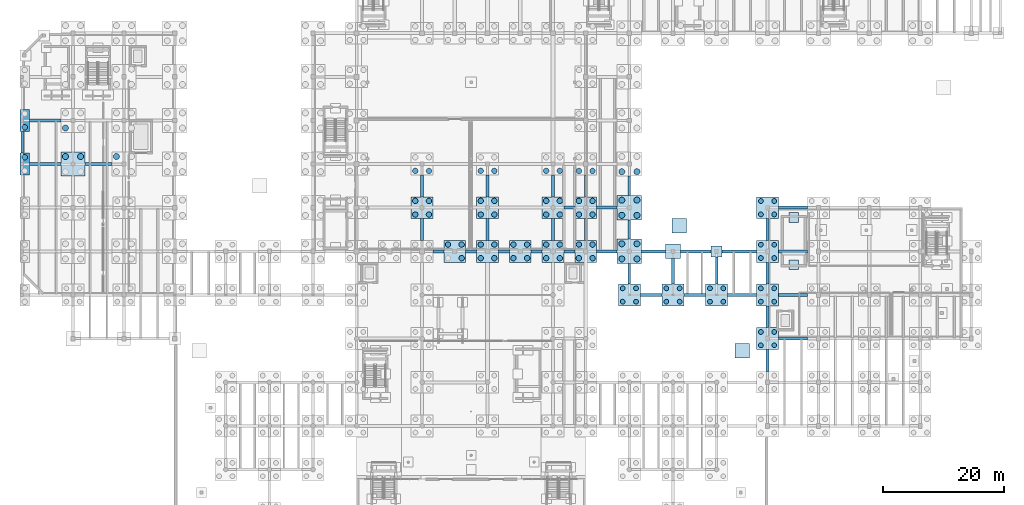
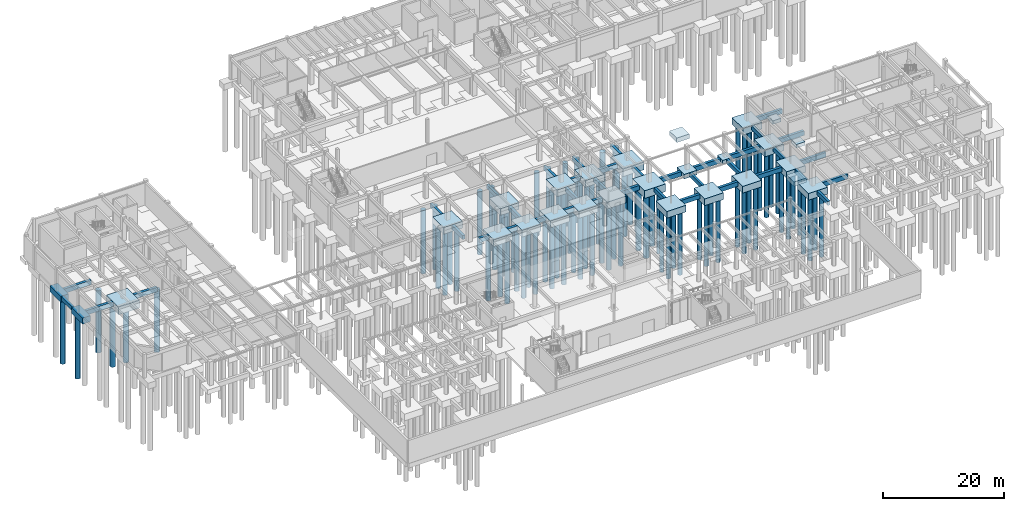
# One storey, part 4 of 46: 87 piles, 66 footings.
"""IFC4 building model written with IfcOpenShell, lengths in metres."""

from ifc_helpers import new_model, si_unit, direction, frame, origin, origin_2d, place, context, subcontext, project, spatial, rectangle, circle, extrude, material, material_profile, profile_set, type_object, element, save


model = new_model("IFC4")

# Units and contexts
model_context = context("Model", 3, precision=1e-05, world=origin(), true_north=direction((0.0, 1.0)))
body_context = subcontext(model_context, "Body", "Model", "MODEL_VIEW")
ifc_project = project(units=[si_unit("LENGTHUNIT", "METRE"), si_unit("AREAUNIT", "SQUARE_METRE"), si_unit("VOLUMEUNIT", "CUBIC_METRE"), si_unit("PLANEANGLEUNIT", "RADIAN"), si_unit("MASSUNIT", "GRAM", prefix="KILO")], contexts=[model_context])

# Site, building, storey
site_placement = place(None, origin())
site = spatial("IfcSite", under=ifc_project, at=site_placement, CompositionType="ELEMENT")
building_placement = place(site_placement, origin())
building = spatial("IfcBuilding", under=site, at=building_placement, Name="Tazoul Stagehouse", CompositionType="ELEMENT")
storey_placement = place(building_placement, frame((0.0, 0.0, -4.800048828125)))
storey = spatial("IfcBuildingStorey", under=building, at=storey_placement, Name="B1", CompositionType="ELEMENT", Elevation=-4.800048828125)

# Piles
ifc_material = material(Name="Concrete C35/45", Category="concrete")
ifc_material_profile_1 = material_profile(ifc_material, circle(Radius=0.5, at=origin_2d()), Name="BORED PILE 1000")
ifc_profile_set_1 = profile_set([ifc_material_profile_1], Name="Concrete C35/45")
pile_type_1 = type_object("IfcPileType", Name="Bored Cast-in-Place Concrete Pile D1000", PredefinedType="BORED", material=ifc_profile_set_1)
for number, where, z_axis, x_axis, name in (
    (1, (101.35009765625, 50.550048828125, -1.449951171875), (0.0, 0.0, -1.0), (1.0, 0.0, 0.0), "Bored Pile PL-03 16/H-1"),
    (2, (103.85009765625, 50.550048828125, -1.449951171875), (0.0, 0.0, -1.0), (1.0, 0.0, 0.0), "Bored Pile PL-03 16/H-2"),
    (3, (101.35009765625, 53.050048828125, -1.449951171875), (0.0, 0.0, -1.0), (1.0, 0.0, 0.0), "Bored Pile PL-03 16/H-3"),
    (4, (103.85009765625, 53.050048828125, -1.449951171875), (0.0, 0.0, -1.0), (1.0, 0.0, 0.0), "Bored Pile PL-03 16/H-4"),
    (5, (101.35009765625, 57.75, -1.449951171875), (0.0, 0.0, -1.0), (1.0, 0.0, 0.0), "Bored Pile PL-03 16/J-1"),
    (6, (103.85009765625, 57.75, -1.449951171875), (0.0, 0.0, -1.0), (1.0, 0.0, 0.0), "Bored Pile PL-03 16/J-2"),
    (7, (101.35009765625, 60.25, -1.449951171875), (0.0, 0.0, -1.0), (1.0, 0.0, 0.0), "Bored Pile PL-03 16/J-3"),
    (8, (103.85009765625, 60.25, -1.449951171875), (0.0, 0.0, -1.0), (1.0, 0.0, 0.0), "Bored Pile PL-03 16/J-4"),
    (9, (101.35009765625, 64.949951171875, -1.449951171875), (0.0, 0.0, -1.0), (1.0, 0.0, 0.0), "Bored Pile PL-03 16/K-1"),
    (10, (103.85009765625, 64.949951171875, -1.449951171875), (0.0, 0.0, -1.0), (1.0, 0.0, 0.0), "Bored Pile PL-03 16/K-2"),
    (11, (9.550048828125, 67.449951171875, -1.449951171875), (0.0, 0.0, -1.0), (1.0, 0.0, 0.0), "Bored Pile PL-03 2/K-3"),
    (12, (12.050048828125, 67.449951171875, -1.449951171875), (0.0, 0.0, -1.0), (1.0, 0.0, 0.0), "Bored Pile PL-03 2/K-4"),
    (13, (9.550048828125, 72.14990234375, -1.449951171875), (0.0, 0.0, -1.0), (1.0, 0.0, 0.0), "Bored Pile PL-03 2/L-1"),
    (14, (17.949951171875, 67.449951171875, -1.449951171875), (0.0, 0.0, -1.0), (1.0, 0.0, 0.0), "Bored Pile PL-03 3/K-3"),
):
    element("IfcPile", number, at=place(storey_placement, frame(where, z_axis=z_axis, x_axis=x_axis)), inside=storey, type_object=pile_type_1, Name=name, PredefinedType="BORED", context=body_context, shape_type="SweptSolid", body=[
        extrude(circle(Radius=0.5, at=origin_2d()), origin(), (0.0, 0.0, 1.0), 12.550048828125),
    ])
ifc_material_profile_2 = material_profile(ifc_material, circle(Radius=0.39990234375, at=origin_2d()), Name="BORED PILE 800")
ifc_profile_set_2 = profile_set([ifc_material_profile_2], Name="Concrete C35/45")
pile_type_2 = type_object("IfcPileType", Name="Bored Cast-in-Place Concrete Pile D800", PredefinedType="BORED", material=ifc_profile_set_2)
for number, where, z_axis, x_axis, name in (
    (15, (101.5, 43.5, -1.25), (0.0, 0.0, -1.0), (1.0, 0.0, 0.0), "Bored Pile PL-01 16/G-1"),
    (16, (103.699951171875, 43.5, -1.25), (0.0, 0.0, -1.0), (1.0, 0.0, 0.0), "Bored Pile PL-01 16/G-2"),
    (17, (101.5, 45.699951171875, -1.25), (0.0, 0.0, -1.0), (1.0, 0.0, 0.0), "Bored Pile PL-01 16/G-3"),
    (18, (103.699951171875, 45.699951171875, -1.25), (0.0, 0.0, -1.0), (1.0, 0.0, 0.0), "Bored Pile PL-01 16/G-4"),
    (19, (108.699951171875, 43.5, -1.25), (0.0, 0.0, -1.0), (1.0, 0.0, 0.0), "Bored Pile PL-01 17/G-1"),
    (20, (110.89990234375, 43.5, -1.25), (0.0, 0.0, -1.0), (1.0, 0.0, 0.0), "Bored Pile PL-01 17/G-2"),
    (21, (108.699951171875, 45.699951171875, -1.25), (0.0, 0.0, -1.0), (1.0, 0.0, 0.0), "Bored Pile PL-01 17/G-3"),
    (22, (110.89990234375, 45.699951171875, -1.25), (0.0, 0.0, -1.0), (1.0, 0.0, 0.0), "Bored Pile PL-01 17/G-4"),
    (23, (115.89990234375, 43.5, -1.25), (0.0, 0.0, -1.0), (1.0, 0.0, 0.0), "Bored Pile PL-01 18/G-1"),
    (24, (118.10009765625, 43.5, -1.25), (0.0, 0.0, -1.0), (1.0, 0.0, 0.0), "Bored Pile PL-01 18/G-2"),
    (25, (115.89990234375, 45.699951171875, -1.25), (0.0, 0.0, -1.0), (1.0, 0.0, 0.0), "Bored Pile PL-01 18/G-3"),
    (26, (118.10009765625, 45.699951171875, -1.25), (0.0, 0.0, -1.0), (1.0, 0.0, 0.0), "Bored Pile PL-01 18/G-4"),
    (27, (124.300048828125, 36.300048828125, -1.25), (0.0, 0.0, -1.0), (1.0, 0.0, 0.0), "Bored Pile PL-01 19/F-1"),
    (28, (126.5, 36.300048828125, -1.25), (0.0, 0.0, -1.0), (1.0, 0.0, 0.0), "Bored Pile PL-01 19/F-2"),
    (29, (124.300048828125, 38.5, -1.25), (0.0, 0.0, -1.0), (1.0, 0.0, 0.0), "Bored Pile PL-01 19/F-3"),
    (30, (126.5, 38.5, -1.25), (0.0, 0.0, -1.0), (1.0, 0.0, 0.0), "Bored Pile PL-01 19/F-4"),
    (31, (124.300048828125, 43.5, -1.25), (0.0, 0.0, -1.0), (1.0, 0.0, 0.0), "Bored Pile PL-01 19/G-1"),
    (32, (126.5, 43.5, -1.25), (0.0, 0.0, -1.0), (1.0, 0.0, 0.0), "Bored Pile PL-01 19/G-2"),
    (33, (124.300048828125, 45.699951171875, -1.25), (0.0, 0.0, -1.0), (1.0, 0.0, 0.0), "Bored Pile PL-01 19/G-3"),
    (34, (126.5, 45.699951171875, -1.25), (0.0, 0.0, -1.0), (1.0, 0.0, 0.0), "Bored Pile PL-01 19/G-4"),
    (35, (124.300048828125, 50.699951171875, -1.25), (0.0, 0.0, -1.0), (1.0, 0.0, 0.0), "Bored Pile PL-01 19/H-1"),
    (36, (126.5, 50.699951171875, -1.25), (0.0, 0.0, -1.0), (1.0, 0.0, 0.0), "Bored Pile PL-01 19/H-2"),
    (37, (124.300048828125, 52.89990234375, -1.25), (0.0, 0.0, -1.0), (1.0, 0.0, 0.0), "Bored Pile PL-01 19/H-3"),
    (38, (126.5, 52.89990234375, -1.25), (0.0, 0.0, -1.0), (1.0, 0.0, 0.0), "Bored Pile PL-01 19/H-4"),
    (39, (124.300048828125, 57.89990234375, -1.25), (0.0, 0.0, -1.0), (1.0, 0.0, 0.0), "Bored Pile PL-01 19/J-1"),
    (40, (126.5, 57.89990234375, -1.25), (0.0, 0.0, -1.0), (1.0, 0.0, 0.0), "Bored Pile PL-01 19/J-2"),
    (41, (124.300048828125, 60.10009765625, -1.25), (0.0, 0.0, -1.0), (1.0, 0.0, 0.0), "Bored Pile PL-01 19/J-3"),
    (42, (126.5, 60.10009765625, -1.25), (0.0, 0.0, -1.0), (1.0, 0.0, 0.0), "Bored Pile PL-01 19/J-4"),
):
    element("IfcPile", number, at=place(storey_placement, frame(where, z_axis=z_axis, x_axis=x_axis)), inside=storey, type_object=pile_type_2, Name=name, PredefinedType="BORED", context=body_context, shape_type="SweptSolid", body=[
        extrude(circle(Radius=0.39990234375, at=origin_2d()), origin(), (0.0, 0.0, 1.0), 12.75),
    ])
ifc_material_profile_3 = material_profile(ifc_material, circle(Radius=0.449951171875, at=origin_2d()), Name="BORED PILE 900")
ifc_profile_set_3 = profile_set([ifc_material_profile_3], Name="Concrete C35/45")
pile_type_3 = type_object("IfcPileType", Name="Bored Cast-in-Place Concrete Pile D900", PredefinedType="BORED", material=ifc_profile_set_3)
for number, where, z_axis, x_axis, name in (
    (43, (2.830078125, 67.324951171875, -1.099853515625), (0.0, 0.0, -1.0), (1.0, 0.0, 0.0), "Bored Pile PL-02 1/K-2"),
    (44, (2.830078125, 72.27490234375, -1.099853515625), (0.0, 0.0, -1.0), (1.0, 0.0, 0.0), "Bored Pile PL-02 1/L-1"),
):
    element("IfcPile", number, at=place(storey_placement, frame(where, z_axis=z_axis, x_axis=x_axis)), inside=storey, type_object=pile_type_3, Name=name, PredefinedType="BORED", context=body_context, shape_type="SweptSolid", body=[
        extrude(circle(Radius=0.449951171875, at=origin_2d()), origin(), (0.0, 0.0, 1.0), 12.89990234375),
    ])
for number, where, z_axis, x_axis, name in (
    (45, (67.27490234375, 57.875, -1.25), (0.0, 0.0, -1.0), (1.0, 0.0, 0.0), "Bored Pile PL-02 10/J-1"),
    (46, (69.52490234375, 57.875, -1.25), (0.0, 0.0, -1.0), (1.0, 0.0, 0.0), "Bored Pile PL-02 10/J-2"),
    (47, (67.27490234375, 60.125, -1.25), (0.0, 0.0, -1.0), (1.0, 0.0, 0.0), "Bored Pile PL-02 10/J-3"),
    (48, (69.52490234375, 60.125, -1.25), (0.0, 0.0, -1.0), (1.0, 0.0, 0.0), "Bored Pile PL-02 10/J-4"),
    (49, (67.27490234375, 65.074951171875, -1.25), (0.0, 0.0, -1.0), (1.0, 0.0, 0.0), "Bored Pile PL-02 10/K-1"),
    (50, (69.52490234375, 65.074951171875, -1.25), (0.0, 0.0, -1.0), (1.0, 0.0, 0.0), "Bored Pile PL-02 10/K-2"),
    (51, (74.925048828125, 50.675048828125, -1.25), (0.0, 0.0, -1.0), (1.0, 0.0, 0.0), "Bored Pile PL-02 11/H-2"),
    (52, (72.675048828125, 52.925048828125, -1.25), (0.0, 0.0, -1.0), (1.0, 0.0, 0.0), "Bored Pile PL-02 11/H-3"),
    (53, (74.925048828125, 52.925048828125, -1.25), (0.0, 0.0, -1.0), (1.0, 0.0, 0.0), "Bored Pile PL-02 11/H-4"),
    (54, (78.074951171875, 50.675048828125, -1.25), (0.0, 0.0, -1.0), (1.0, 0.0, 0.0), "Bored Pile PL-02 12/H-1"),
    (55, (80.324951171875, 50.675048828125, -1.25), (0.0, 0.0, -1.0), (1.0, 0.0, 0.0), "Bored Pile PL-02 12/H-2"),
    (56, (78.074951171875, 52.925048828125, -1.25), (0.0, 0.0, -1.0), (1.0, 0.0, 0.0), "Bored Pile PL-02 12/H-3"),
    (57, (80.324951171875, 52.925048828125, -1.25), (0.0, 0.0, -1.0), (1.0, 0.0, 0.0), "Bored Pile PL-02 12/H-4"),
    (58, (78.074951171875, 57.875, -1.25), (0.0, 0.0, -1.0), (1.0, 0.0, 0.0), "Bored Pile PL-02 12/J-1"),
    (59, (80.324951171875, 57.875, -1.25), (0.0, 0.0, -1.0), (1.0, 0.0, 0.0), "Bored Pile PL-02 12/J-2"),
    (60, (78.074951171875, 60.125, -1.25), (0.0, 0.0, -1.0), (1.0, 0.0, 0.0), "Bored Pile PL-02 12/J-3"),
    (61, (80.324951171875, 60.125, -1.25), (0.0, 0.0, -1.0), (1.0, 0.0, 0.0), "Bored Pile PL-02 12/J-4"),
    (62, (78.074951171875, 65.074951171875, -1.25), (0.0, 0.0, -1.0), (1.0, 0.0, 0.0), "Bored Pile PL-02 12/K-1"),
    (63, (80.324951171875, 65.074951171875, -1.25), (0.0, 0.0, -1.0), (1.0, 0.0, 0.0), "Bored Pile PL-02 12/K-2"),
    (64, (83.47509765625, 50.675048828125, -1.25), (0.0, 0.0, -1.0), (1.0, 0.0, 0.0), "Bored Pile PL-02 13/H-1"),
    (65, (85.72509765625, 50.675048828125, -1.25), (0.0, 0.0, -1.0), (1.0, 0.0, 0.0), "Bored Pile PL-02 13/H-2"),
    (66, (83.47509765625, 52.925048828125, -1.25), (0.0, 0.0, -1.0), (1.0, 0.0, 0.0), "Bored Pile PL-02 13/H-3"),
    (67, (85.72509765625, 52.925048828125, -1.25), (0.0, 0.0, -1.0), (1.0, 0.0, 0.0), "Bored Pile PL-02 13/H-4"),
    (68, (88.875, 50.675048828125, -1.25), (0.0, 0.0, -1.0), (1.0, 0.0, 0.0), "Bored Pile PL-02 14/H-1"),
    (69, (91.125, 50.675048828125, -1.25), (0.0, 0.0, -1.0), (1.0, 0.0, 0.0), "Bored Pile PL-02 14/H-2"),
    (70, (88.875, 52.925048828125, -1.25), (0.0, 0.0, -1.0), (1.0, 0.0, 0.0), "Bored Pile PL-02 14/H-3"),
    (71, (91.125, 52.925048828125, -1.25), (0.0, 0.0, -1.0), (1.0, 0.0, 0.0), "Bored Pile PL-02 14/H-4"),
    (72, (88.875, 57.875, -1.25), (0.0, 0.0, -1.0), (1.0, 0.0, 0.0), "Bored Pile PL-02 14/J-1"),
    (73, (91.125, 57.875, -1.25), (0.0, 0.0, -1.0), (1.0, 0.0, 0.0), "Bored Pile PL-02 14/J-2"),
    (74, (88.875, 60.125, -1.25), (0.0, 0.0, -1.0), (1.0, 0.0, 0.0), "Bored Pile PL-02 14/J-3"),
    (75, (91.125, 60.125, -1.25), (0.0, 0.0, -1.0), (1.0, 0.0, 0.0), "Bored Pile PL-02 14/J-4"),
    (76, (88.875, 65.074951171875, -1.25), (0.0, 0.0, -1.0), (1.0, 0.0, 0.0), "Bored Pile PL-02 14/K-1"),
    (77, (91.125, 65.074951171875, -1.25), (0.0, 0.0, -1.0), (1.0, 0.0, 0.0), "Bored Pile PL-02 14/K-2"),
    (78, (94.27490234375, 50.675048828125, -1.25), (0.0, 0.0, -1.0), (1.0, 0.0, 0.0), "Bored Pile PL-02 15/H-1"),
    (79, (96.52490234375, 50.675048828125, -1.25), (0.0, 0.0, -1.0), (1.0, 0.0, 0.0), "Bored Pile PL-02 15/H-2"),
    (80, (94.27490234375, 52.925048828125, -1.25), (0.0, 0.0, -1.0), (1.0, 0.0, 0.0), "Bored Pile PL-02 15/H-3"),
    (81, (96.52490234375, 52.925048828125, -1.25), (0.0, 0.0, -1.0), (1.0, 0.0, 0.0), "Bored Pile PL-02 15/H-4"),
    (82, (94.27490234375, 57.875, -1.25), (0.0, 0.0, -1.0), (1.0, 0.0, 0.0), "Bored Pile PL-02 15/J-1"),
    (83, (96.52490234375, 57.875, -1.25), (0.0, 0.0, -1.0), (1.0, 0.0, 0.0), "Bored Pile PL-02 15/J-2"),
    (84, (94.27490234375, 60.125, -1.25), (0.0, 0.0, -1.0), (1.0, 0.0, 0.0), "Bored Pile PL-02 15/J-3"),
    (85, (96.52490234375, 60.125, -1.25), (0.0, 0.0, -1.0), (1.0, 0.0, 0.0), "Bored Pile PL-02 15/J-4"),
    (86, (94.27490234375, 65.074951171875, -1.25), (0.0, 0.0, -1.0), (1.0, 0.0, 0.0), "Bored Pile PL-02 15/K-1"),
    (87, (96.52490234375, 65.074951171875, -1.25), (0.0, 0.0, -1.0), (1.0, 0.0, 0.0), "Bored Pile PL-02 15/K-2"),
):
    element("IfcPile", number, at=place(storey_placement, frame(where, z_axis=z_axis, x_axis=x_axis)), inside=storey, type_object=pile_type_3, Name=name, PredefinedType="BORED", context=body_context, shape_type="SweptSolid", body=[
        extrude(circle(Radius=0.449951171875, at=origin_2d()), origin(), (0.0, 0.0, 1.0), 12.75),
    ])

# Footings
footing_type_1 = type_object("IfcFootingType", Name="Four-Pile Cap 3600x3600x1350", PredefinedType="PILE_CAP", material=ifc_material)
for number, where, z_axis, x_axis, name in (
    (88, (68.39990234375, 59.0, -1.35009765625), (0.0, 0.0, 1.0), (1.0, 0.0, 0.0), "Pile Cap PC-04 at 10/J"),
    (89, (73.800048828125, 51.800048828125, -1.35009765625), (0.0, 0.0, 1.0), (1.0, 0.0, 0.0), "Pile Cap PC-04 at 11/H"),
    (90, (79.199951171875, 51.800048828125, -1.35009765625), (0.0, 0.0, 1.0), (1.0, 0.0, 0.0), "Pile Cap PC-04 at 12/H"),
    (91, (79.199951171875, 59.0, -1.35009765625), (0.0, 0.0, 1.0), (1.0, 0.0, 0.0), "Pile Cap PC-04 at 12/J"),
    (92, (84.60009765625, 51.800048828125, -1.35009765625), (0.0, 0.0, 1.0), (1.0, 0.0, 0.0), "Pile Cap PC-04 at 13/H"),
    (93, (90.0, 51.800048828125, -1.35009765625), (0.0, 0.0, 1.0), (1.0, 0.0, 0.0), "Pile Cap PC-04 at 14/H"),
    (94, (90.0, 59.0, -1.35009765625), (0.0, 0.0, 1.0), (1.0, 0.0, 0.0), "Pile Cap PC-04 at 14/J"),
    (95, (95.39990234375, 51.800048828125, -1.35009765625), (0.0, 0.0, 1.0), (1.0, 0.0, 0.0), "Pile Cap PC-04 at 15/H"),
    (96, (95.39990234375, 59.0, -1.35009765625), (0.0, 0.0, 1.0), (1.0, 0.0, 0.0), "Pile Cap PC-04 at 15/J"),
    (97, (102.60009765625, 44.60009765625, -1.35009765625), (0.0, 0.0, 1.0), (1.0, 0.0, 0.0), "Pile Cap PC-04 at 16/G"),
    (98, (109.800048828125, 44.60009765625, -1.35009765625), (0.0, 0.0, 1.0), (1.0, 0.0, 0.0), "Pile Cap PC-04 at 17/G"),
    (99, (117.0, 44.60009765625, -1.35009765625), (0.0, 0.0, 1.0), (1.0, 0.0, 0.0), "Pile Cap PC-04 at 18/G"),
    (100, (125.39990234375, 37.39990234375, -1.35009765625), (0.0, 0.0, 1.0), (1.0, 0.0, 0.0), "Pile Cap PC-04 at 19/F"),
    (101, (125.39990234375, 44.60009765625, -1.35009765625), (0.0, 0.0, 1.0), (1.0, 0.0, 0.0), "Pile Cap PC-04 at 19/G"),
    (102, (125.39990234375, 51.800048828125, -1.35009765625), (0.0, 0.0, 1.0), (1.0, 0.0, 0.0), "Pile Cap PC-04 at 19/H"),
    (103, (125.39990234375, 59.0, -1.35009765625), (0.0, 0.0, 1.0), (1.0, 0.0, 0.0), "Pile Cap PC-04 at 19/J"),
):
    element("IfcFooting", number, at=place(storey_placement, frame(where, z_axis=z_axis, x_axis=x_axis)), inside=storey, type_object=footing_type_1, Name=name, PredefinedType="PILE_CAP", context=body_context, shape_type="SweptSolid", body=[
        extrude(rectangle(XDim=3.60009765625, YDim=3.60009765625, at=origin_2d()), origin(), (0.0, 0.0, 1.0), 1.35009765625),
    ])
footing_type_2 = type_object("IfcFootingType", Name="Four-Pile Cap 4000x4000x1550", PredefinedType="PILE_CAP", material=ifc_material)
for number, where, z_axis, x_axis, name in (
    (104, (102.60009765625, 51.800048828125, -1.5498046875), (0.0, 0.0, 1.0), (1.0, 0.0, 0.0), "Pile Cap PC-06 at 16/H"),
    (105, (102.60009765625, 59.0, -1.5498046875), (0.0, 0.0, 1.0), (1.0, 0.0, 0.0), "Pile Cap PC-06 at 16/J"),
    (106, (10.800048828125, 66.199951171875, -1.5498046875), (0.0, 0.0, 1.0), (1.0, 0.0, 0.0), "Pile Cap PC-06 at 2/K"),
):
    element("IfcFooting", number, at=place(storey_placement, frame(where, z_axis=z_axis, x_axis=x_axis)), inside=storey, type_object=footing_type_2, Name=name, PredefinedType="PILE_CAP", context=body_context, shape_type="SweptSolid", body=[
        extrude(rectangle(XDim=4.0, YDim=4.0, at=origin_2d()), origin(), (0.0, 0.0, 1.0), 1.550048828125),
    ])
ifc_material_profile_4 = material_profile(ifc_material, rectangle(XDim=0.449951171875, YDim=0.800048828125, at=origin_2d()), Name="RC 450x800")
ifc_profile_set_4 = profile_set([ifc_material_profile_4], Name="Concrete C35/45")
footing_type_3 = type_object("IfcFootingType", Name="Ground Tie Beam 450x800", PredefinedType="FOOTING_BEAM", material=ifc_profile_set_4)
footing_1_placement = place(storey_placement, frame((2.39990234375, 68.0, -0.39990234375), z_axis=(0.0, 1.0, 0.0), x_axis=(-1.0, 0.0, 0.0)))
element("IfcFooting", 107, at=footing_1_placement, inside=storey, type_object=footing_type_3, Name="Ground Tie Beam GB-01 1/K-L", PredefinedType="FOOTING_BEAM", context=body_context, shape_type="SweptSolid", body=[
    extrude(rectangle(XDim=0.449951171875, YDim=0.800048828125, at=origin_2d()), origin(), (0.0, 0.0, 1.0), 3.60009765625),
])
for number, where, z_axis, x_axis, name in (
    (108, (68.39990234375, 53.60009765625, -0.39990234375), (0.0, 1.0, 0.0), (-1.0, 0.0, 0.0), "Ground Tie Beam GB-01 10/H-J"),
    (109, (68.39990234375, 60.800048828125, -0.39990234375), (0.0, 1.0, 0.0), (-1.0, 0.0, 0.0), "Ground Tie Beam GB-01 10/J-K"),
    (110, (79.199951171875, 53.60009765625, -0.39990234375), (0.0, 1.0, 0.0), (-1.0, 0.0, 0.0), "Ground Tie Beam GB-01 12/H-J"),
    (111, (79.199951171875, 60.800048828125, -0.39990234375), (0.0, 1.0, 0.0), (-1.0, 0.0, 0.0), "Ground Tie Beam GB-01 12/J-K"),
    (112, (90.0, 53.60009765625, -0.39990234375), (0.0, 1.0, 0.0), (-1.0, 0.0, 0.0), "Ground Tie Beam GB-01 14/H-J"),
    (113, (90.0, 60.800048828125, -0.39990234375), (0.0, 1.0, 0.0), (-1.0, 0.0, 0.0), "Ground Tie Beam GB-01 14/J-K"),
    (114, (95.39990234375, 53.60009765625, -0.39990234375), (0.0, 1.0, 0.0), (-1.0, 0.0, 0.0), "Ground Tie Beam GB-01 15/H-J"),
    (115, (95.39990234375, 60.800048828125, -0.39990234375), (0.0, 1.0, 0.0), (-1.0, 0.0, 0.0), "Ground Tie Beam GB-01 15/J-K"),
):
    element("IfcFooting", number, at=place(storey_placement, frame(where, z_axis=z_axis, x_axis=x_axis)), inside=storey, type_object=footing_type_3, Name=name, PredefinedType="FOOTING_BEAM", context=body_context, shape_type="SweptSolid", body=[
        extrude(rectangle(XDim=0.449951171875, YDim=0.800048828125, at=origin_2d()), origin(), (0.0, 0.0, 1.0), 3.599853515625),
    ])
footing_2_placement = place(storey_placement, frame((102.60009765625, 46.39990234375, -0.39990234375), z_axis=(0.0, 1.0, 0.0), x_axis=(-1.0, 0.0, 0.0)))
element("IfcFooting", 116, at=footing_2_placement, inside=storey, type_object=footing_type_3, Name="Ground Tie Beam GB-01 16/G-H", PredefinedType="FOOTING_BEAM", context=body_context, shape_type="SweptSolid", body=[
    extrude(rectangle(XDim=0.449951171875, YDim=0.800048828125, at=origin_2d()), origin(), (0.0, 0.0, 1.0), 3.400146484375),
])
for number, where, z_axis, x_axis, name in (
    (117, (102.60009765625, 53.800048828125, -0.39990234375), (0.0, 1.0, 0.0), (-1.0, 0.0, 0.0), "Ground Tie Beam GB-01 16/H-J"),
    (118, (102.60009765625, 61.0, -0.39990234375), (0.0, 1.0, 0.0), (-1.0, 0.0, 0.0), "Ground Tie Beam GB-01 16/J-K"),
):
    element("IfcFooting", number, at=place(storey_placement, frame(where, z_axis=z_axis, x_axis=x_axis)), inside=storey, type_object=footing_type_3, Name=name, PredefinedType="FOOTING_BEAM", context=body_context, shape_type="SweptSolid", body=[
        extrude(rectangle(XDim=0.449951171875, YDim=0.800048828125, at=origin_2d()), origin(), (0.0, 0.0, 1.0), 3.199951171875),
    ])
footing_3_placement = place(storey_placement, frame((109.800048828125, 46.39990234375, -0.39990234375), z_axis=(0.0, 1.0, 0.0), x_axis=(-1.0, 0.0, 0.0)))
element("IfcFooting", 119, at=footing_3_placement, inside=storey, type_object=footing_type_3, Name="Ground Tie Beam GB-01 17/G-H", PredefinedType="FOOTING_BEAM", context=body_context, shape_type="SweptSolid", body=[
    extrude(rectangle(XDim=0.449951171875, YDim=0.800048828125, at=origin_2d()), origin(), (0.0, 0.0, 1.0), 4.2001953125),
])
footing_4_placement = place(storey_placement, frame((117.0, 46.39990234375, -0.39990234375), z_axis=(0.0, 1.0, 0.0), x_axis=(-1.0, 0.0, 0.0)))
element("IfcFooting", 120, at=footing_4_placement, inside=storey, type_object=footing_type_3, Name="Ground Tie Beam GB-01 18/G-H", PredefinedType="FOOTING_BEAM", context=body_context, shape_type="SweptSolid", body=[
    extrude(rectangle(XDim=0.449951171875, YDim=0.800048828125, at=origin_2d()), origin(), (0.0, 0.0, 1.0), 4.5),
])
for number, where, z_axis, x_axis, name in (
    (121, (125.39990234375, 32.0, -0.39990234375), (0.0, 1.0, 0.0), (-1.0, 0.0, 0.0), "Ground Tie Beam GB-01 19/E-F"),
    (122, (125.39990234375, 39.199951171875, -0.39990234375), (0.0, 1.0, 0.0), (-1.0, 0.0, 0.0), "Ground Tie Beam GB-01 19/F-G"),
    (123, (125.39990234375, 46.39990234375, -0.39990234375), (0.0, 1.0, 0.0), (-1.0, 0.0, 0.0), "Ground Tie Beam GB-01 19/G-H"),
):
    element("IfcFooting", number, at=place(storey_placement, frame(where, z_axis=z_axis, x_axis=x_axis)), inside=storey, type_object=footing_type_3, Name=name, PredefinedType="FOOTING_BEAM", context=body_context, shape_type="SweptSolid", body=[
        extrude(rectangle(XDim=0.449951171875, YDim=0.800048828125, at=origin_2d()), origin(), (0.0, 0.0, 1.0), 3.60009765625),
    ])
footing_5_placement = place(storey_placement, frame((125.39990234375, 53.60009765625, -0.39990234375), z_axis=(0.0, 1.0, 0.0), x_axis=(-1.0, 0.0, 0.0)))
element("IfcFooting", 124, at=footing_5_placement, inside=storey, type_object=footing_type_3, Name="Ground Tie Beam GB-01 19/H-J", PredefinedType="FOOTING_BEAM", context=body_context, shape_type="SweptSolid", body=[
    extrude(rectangle(XDim=0.449951171875, YDim=0.800048828125, at=origin_2d()), origin(), (0.0, 0.0, 1.0), 3.599853515625),
])
ifc_material_profile_5 = material_profile(ifc_material, rectangle(XDim=0.5, YDim=0.89990234375, at=origin_2d()), Name="RC 500x900")
ifc_profile_set_5 = profile_set([ifc_material_profile_5], Name="Concrete C35/45")
footing_type_4 = type_object("IfcFootingType", Name="Ground Tie Beam 500x900", PredefinedType="FOOTING_BEAM", material=ifc_profile_set_5)
footing_6_placement = place(storey_placement, frame((127.199951171875, 37.39990234375, -0.449951171875), z_axis=(1.0, 0.0, 0.0), x_axis=(0.0, 1.0, 0.0)))
element("IfcFooting", 125, at=footing_6_placement, inside=storey, type_object=footing_type_4, Name="Ground Tie Beam GB-02 F/19-20", PredefinedType="FOOTING_BEAM", context=body_context, shape_type="SweptSolid", body=[
    extrude(rectangle(XDim=0.5, YDim=0.89990234375, at=origin_2d()), origin(), (0.0, 0.0, 1.0), 4.800048828125),
])
footing_7_placement = place(storey_placement, frame((104.39990234375, 44.60009765625, -0.449951171875), z_axis=(1.0, 0.0, 0.0), x_axis=(0.0, 1.0, 0.0)))
element("IfcFooting", 126, at=footing_7_placement, inside=storey, type_object=footing_type_4, Name="Ground Tie Beam GB-02 G/16-17", PredefinedType="FOOTING_BEAM", context=body_context, shape_type="SweptSolid", body=[
    extrude(rectangle(XDim=0.5, YDim=0.89990234375, at=origin_2d()), origin(), (0.0, 0.0, 1.0), 3.60009765625),
])
footing_8_placement = place(storey_placement, frame((111.60009765625, 44.60009765625, -0.449951171875), z_axis=(1.0, 0.0, 0.0), x_axis=(0.0, 1.0, 0.0)))
element("IfcFooting", 127, at=footing_8_placement, inside=storey, type_object=footing_type_4, Name="Ground Tie Beam GB-02 G/17-18", PredefinedType="FOOTING_BEAM", context=body_context, shape_type="SweptSolid", body=[
    extrude(rectangle(XDim=0.5, YDim=0.89990234375, at=origin_2d()), origin(), (0.0, 0.0, 1.0), 3.599853515625),
])
for number, where, z_axis, x_axis, name in (
    (128, (118.800048828125, 44.60009765625, -0.449951171875), (1.0, 0.0, 0.0), (0.0, 1.0, 0.0), "Ground Tie Beam GB-02 G/18-19"),
    (129, (127.199951171875, 44.60009765625, -0.449951171875), (1.0, 0.0, 0.0), (0.0, 1.0, 0.0), "Ground Tie Beam GB-02 G/19-20"),
):
    element("IfcFooting", number, at=place(storey_placement, frame(where, z_axis=z_axis, x_axis=x_axis)), inside=storey, type_object=footing_type_4, Name=name, PredefinedType="FOOTING_BEAM", context=body_context, shape_type="SweptSolid", body=[
        extrude(rectangle(XDim=0.5, YDim=0.89990234375, at=origin_2d()), origin(), (0.0, 0.0, 1.0), 4.800048828125),
    ])
footing_9_placement = place(storey_placement, frame((70.199951171875, 51.800048828125, -0.449951171875), z_axis=(1.0, 0.0, 0.0), x_axis=(0.0, 1.0, 0.0)))
element("IfcFooting", 130, at=footing_9_placement, inside=storey, type_object=footing_type_4, Name="Ground Tie Beam GB-02 H/10-11", PredefinedType="FOOTING_BEAM", context=body_context, shape_type="SweptSolid", body=[
    extrude(rectangle(XDim=0.5, YDim=0.89990234375, at=origin_2d()), origin(), (0.0, 0.0, 1.0), 1.800048828125),
])
footing_10_placement = place(storey_placement, frame((75.60009765625, 51.800048828125, -0.449951171875), z_axis=(1.0, 0.0, 0.0), x_axis=(0.0, 1.0, 0.0)))
element("IfcFooting", 131, at=footing_10_placement, inside=storey, type_object=footing_type_4, Name="Ground Tie Beam GB-02 H/11-12", PredefinedType="FOOTING_BEAM", context=body_context, shape_type="SweptSolid", body=[
    extrude(rectangle(XDim=0.5, YDim=0.89990234375, at=origin_2d()), origin(), (0.0, 0.0, 1.0), 1.7998046875),
])
for number, where, z_axis, x_axis, name in (
    (132, (81.0, 51.800048828125, -0.449951171875), (1.0, 0.0, 0.0), (0.0, 1.0, 0.0), "Ground Tie Beam GB-02 H/12-13"),
    (133, (86.39990234375, 51.800048828125, -0.449951171875), (1.0, 0.0, 0.0), (0.0, 1.0, 0.0), "Ground Tie Beam GB-02 H/13-14"),
    (134, (91.800048828125, 51.800048828125, -0.449951171875), (1.0, 0.0, 0.0), (0.0, 1.0, 0.0), "Ground Tie Beam GB-02 H/14-15"),
):
    element("IfcFooting", number, at=place(storey_placement, frame(where, z_axis=z_axis, x_axis=x_axis)), inside=storey, type_object=footing_type_4, Name=name, PredefinedType="FOOTING_BEAM", context=body_context, shape_type="SweptSolid", body=[
        extrude(rectangle(XDim=0.5, YDim=0.89990234375, at=origin_2d()), origin(), (0.0, 0.0, 1.0), 1.800048828125),
    ])
footing_11_placement = place(storey_placement, frame((97.199951171875, 51.800048828125, -0.449951171875), z_axis=(1.0, 0.0, 0.0), x_axis=(0.0, 1.0, 0.0)))
element("IfcFooting", 135, at=footing_11_placement, inside=storey, type_object=footing_type_4, Name="Ground Tie Beam GB-02 H/15-16", PredefinedType="FOOTING_BEAM", context=body_context, shape_type="SweptSolid", body=[
    extrude(rectangle(XDim=0.5, YDim=0.89990234375, at=origin_2d()), origin(), (0.0, 0.0, 1.0), 3.400146484375),
])
footing_12_placement = place(storey_placement, frame((104.60009765625, 51.800048828125, -0.449951171875), z_axis=(1.0, 0.0, 0.0), x_axis=(0.0, 1.0, 0.0)))
element("IfcFooting", 136, at=footing_12_placement, inside=storey, type_object=footing_type_4, Name="Ground Tie Beam GB-02 H/16-17", PredefinedType="FOOTING_BEAM", context=body_context, shape_type="SweptSolid", body=[
    extrude(rectangle(XDim=0.5, YDim=0.89990234375, at=origin_2d()), origin(), (0.0, 0.0, 1.0), 4.0),
])
footing_13_placement = place(storey_placement, frame((111.0, 51.800048828125, -0.449951171875), z_axis=(1.0, 0.0, 0.0), x_axis=(0.0, 1.0, 0.0)))
element("IfcFooting", 137, at=footing_13_placement, inside=storey, type_object=footing_type_4, Name="Ground Tie Beam GB-02 H/17-18", PredefinedType="FOOTING_BEAM", context=body_context, shape_type="SweptSolid", body=[
    extrude(rectangle(XDim=0.5, YDim=0.89990234375, at=origin_2d()), origin(), (0.0, 0.0, 1.0), 5.10009765625),
])
footing_14_placement = place(storey_placement, frame((117.89990234375, 51.800048828125, -0.449951171875), z_axis=(1.0, 0.0, 0.0), x_axis=(0.0, 1.0, 0.0)))
element("IfcFooting", 138, at=footing_14_placement, inside=storey, type_object=footing_type_4, Name="Ground Tie Beam GB-02 H/18-19", PredefinedType="FOOTING_BEAM", context=body_context, shape_type="SweptSolid", body=[
    extrude(rectangle(XDim=0.5, YDim=0.89990234375, at=origin_2d()), origin(), (0.0, 0.0, 1.0), 5.7001953125),
])
footing_15_placement = place(storey_placement, frame((127.199951171875, 51.800048828125, -0.449951171875), z_axis=(1.0, 0.0, 0.0), x_axis=(0.0, 1.0, 0.0)))
element("IfcFooting", 139, at=footing_15_placement, inside=storey, type_object=footing_type_4, Name="Ground Tie Beam GB-02 H/19-20", PredefinedType="FOOTING_BEAM", context=body_context, shape_type="SweptSolid", body=[
    extrude(rectangle(XDim=0.5, YDim=0.89990234375, at=origin_2d()), origin(), (0.0, 0.0, 1.0), 4.800048828125),
])
footing_16_placement = place(storey_placement, frame((91.800048828125, 59.0, -0.449951171875), z_axis=(1.0, 0.0, 0.0), x_axis=(0.0, 1.0, 0.0)))
element("IfcFooting", 140, at=footing_16_placement, inside=storey, type_object=footing_type_4, Name="Ground Tie Beam GB-02 J/14-15", PredefinedType="FOOTING_BEAM", context=body_context, shape_type="SweptSolid", body=[
    extrude(rectangle(XDim=0.5, YDim=0.89990234375, at=origin_2d()), origin(), (0.0, 0.0, 1.0), 1.800048828125),
])
footing_17_placement = place(storey_placement, frame((97.199951171875, 59.0, -0.449951171875), z_axis=(1.0, 0.0, 0.0), x_axis=(0.0, 1.0, 0.0)))
element("IfcFooting", 141, at=footing_17_placement, inside=storey, type_object=footing_type_4, Name="Ground Tie Beam GB-02 J/15-16", PredefinedType="FOOTING_BEAM", context=body_context, shape_type="SweptSolid", body=[
    extrude(rectangle(XDim=0.5, YDim=0.89990234375, at=origin_2d()), origin(), (0.0, 0.0, 1.0), 3.400146484375),
])
footing_18_placement = place(storey_placement, frame((127.199951171875, 59.0, -0.449951171875), z_axis=(1.0, 0.0, 0.0), x_axis=(0.0, 1.0, 0.0)))
element("IfcFooting", 142, at=footing_18_placement, inside=storey, type_object=footing_type_4, Name="Ground Tie Beam GB-02 J/19-20", PredefinedType="FOOTING_BEAM", context=body_context, shape_type="SweptSolid", body=[
    extrude(rectangle(XDim=0.5, YDim=0.89990234375, at=origin_2d()), origin(), (0.0, 0.0, 1.0), 4.800048828125),
])
footing_19_placement = place(storey_placement, frame((3.580078125, 66.199951171875, -0.449951171875), z_axis=(1.0, 0.0, 0.0), x_axis=(0.0, 1.0, 0.0)))
element("IfcFooting", 143, at=footing_19_placement, inside=storey, type_object=footing_type_4, Name="Ground Tie Beam GB-02 K/1-2", PredefinedType="FOOTING_BEAM", context=body_context, shape_type="SweptSolid", body=[
    extrude(rectangle(XDim=0.5, YDim=0.89990234375, at=origin_2d()), origin(), (0.0, 0.0, 1.0), 5.219970703125),
])
footing_20_placement = place(storey_placement, frame((12.800048828125, 66.199951171875, -0.449951171875), z_axis=(1.0, 0.0, 0.0), x_axis=(0.0, 1.0, 0.0)))
element("IfcFooting", 144, at=footing_20_placement, inside=storey, type_object=footing_type_4, Name="Ground Tie Beam GB-02 K/2-3", PredefinedType="FOOTING_BEAM", context=body_context, shape_type="SweptSolid", body=[
    extrude(rectangle(XDim=0.5, YDim=0.89990234375, at=origin_2d()), origin(), (0.0, 0.0, 1.0), 4.39990234375),
])
footing_21_placement = place(storey_placement, frame((3.580078125, 73.39990234375, -0.449951171875), z_axis=(1.0, 0.0, 0.0), x_axis=(0.0, 1.0, 0.0)))
element("IfcFooting", 145, at=footing_21_placement, inside=storey, type_object=footing_type_4, Name="Ground Tie Beam GB-02 L/1-2", PredefinedType="FOOTING_BEAM", context=body_context, shape_type="SweptSolid", body=[
    extrude(rectangle(XDim=0.5, YDim=0.89990234375, at=origin_2d()), origin(), (0.0, 0.0, 1.0), 5.219970703125),
])
footing_type_5 = type_object("IfcFootingType", Name="Spread Pad Footing 1600x1600x700", PredefinedType="PAD_FOOTING", material=ifc_material)
for number, where, z_axis, x_axis, name in (
    (146, (129.72509765625, 49.60009765625, -0.69970703125), (0.0, 0.0, 1.0), (1.0, 0.0, 0.0), "Core Support Pad Footing PF-01 (C7U5)"),
    (147, (129.72509765625, 57.39990234375, -0.69970703125), (0.0, 0.0, 1.0), (1.0, 0.0, 0.0), "Core Support Pad Footing PF-01 (C7U6)"),
):
    element("IfcFooting", number, at=place(storey_placement, frame(where, z_axis=z_axis, x_axis=x_axis)), inside=storey, type_object=footing_type_5, Name=name, PredefinedType="PAD_FOOTING", context=body_context, shape_type="SweptSolid", body=[
        extrude(rectangle(XDim=1.60009765625, YDim=1.60009765625, at=origin_2d()), origin(), (0.0, 0.0, 1.0), 0.699951171875),
    ])
footing_type_6 = type_object("IfcFootingType", Name="Spread Pad Footing 1800x1800x750", PredefinedType="PAD_FOOTING", material=ifc_material)
footing_22_placement = place(storey_placement, frame((117.0, 51.800048828125, -0.75), z_axis=(0.0, 0.0, 1.0), x_axis=(1.0, 0.0, 0.0)))
element("IfcFooting", 148, at=footing_22_placement, inside=storey, type_object=footing_type_6, Name="Pad Footing PF-02 at 18/H", PredefinedType="PAD_FOOTING", context=body_context, shape_type="SweptSolid", body=[
    extrude(rectangle(XDim=1.800048828125, YDim=1.800048828125, at=origin_2d()), origin(), (0.0, 0.0, 1.0), 0.75),
])
footing_type_7 = type_object("IfcFootingType", Name="Spread Pad Footing 2400x2400x900", PredefinedType="PAD_FOOTING", material=ifc_material)
for number, where, z_axis, x_axis, name in (
    (149, (109.800048828125, 51.800048828125, -0.89990234375), (0.0, 0.0, 1.0), (1.0, 0.0, 0.0), "Pad Footing PF-05 at 17/H"),
    (150, (121.199951171875, 35.39990234375, 3.5), (0.0, 0.0, 1.0), (1.0, 0.0, 0.0), "East Plaza Accessible Entrance Ramp Toe Foundation Pad PF-05"),
    (151, (110.800048828125, 56.0, 3.5), (0.0, 0.0, 1.0), (1.0, 0.0, 0.0), "East Court Auditorium Accessible Ramp Toe Foundation Pad PF-05"),
):
    element("IfcFooting", number, at=place(storey_placement, frame(where, z_axis=z_axis, x_axis=x_axis)), inside=storey, type_object=footing_type_7, Name=name, PredefinedType="PAD_FOOTING", context=body_context, shape_type="SweptSolid", body=[
        extrude(rectangle(XDim=2.39990234375, YDim=2.39990234375, at=origin_2d()), origin(), (0.0, 0.0, 1.0), 0.89990234375),
    ])
footing_type_8 = type_object("IfcFootingType", Name="Two-Pile Cap 1500x3600x1200", PredefinedType="PILE_CAP", material=ifc_material)
for number, where, z_axis, x_axis, name in (
    (152, (2.830078125, 66.199951171875, -1.19970703125), (0.0, 0.0, 1.0), (1.0, 0.0, 0.0), "Pile Cap PC-02 at 1/K"),
    (153, (2.830078125, 73.39990234375, -1.19970703125), (0.0, 0.0, 1.0), (1.0, 0.0, 0.0), "Pile Cap PC-02 at 1/L"),
):
    element("IfcFooting", number, at=place(storey_placement, frame(where, z_axis=z_axis, x_axis=x_axis)), inside=storey, type_object=footing_type_8, Name=name, PredefinedType="PILE_CAP", context=body_context, shape_type="SweptSolid", body=[
        extrude(rectangle(XDim=1.5, YDim=3.60009765625, at=origin_2d()), origin(), (0.0, 0.0, 1.0), 1.199951171875),
    ])

save(model, "model.ifc")
